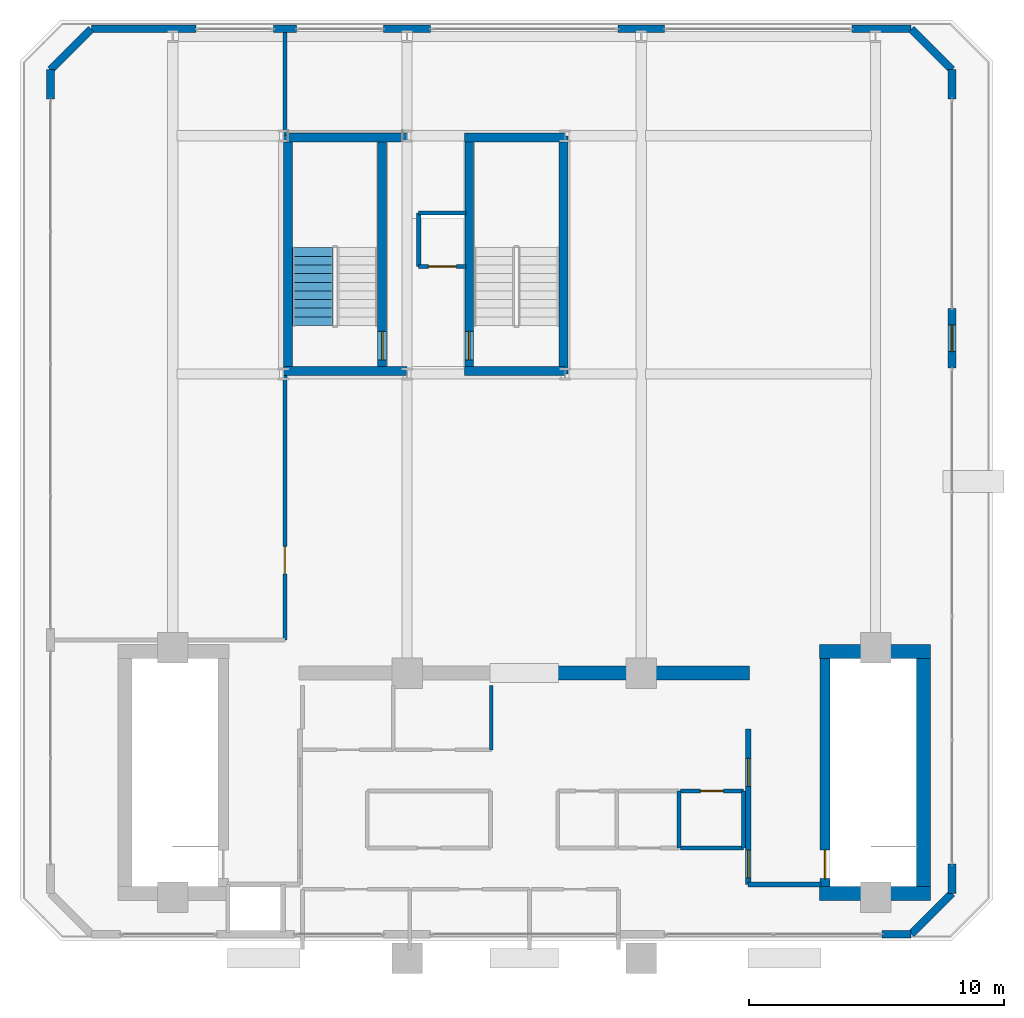
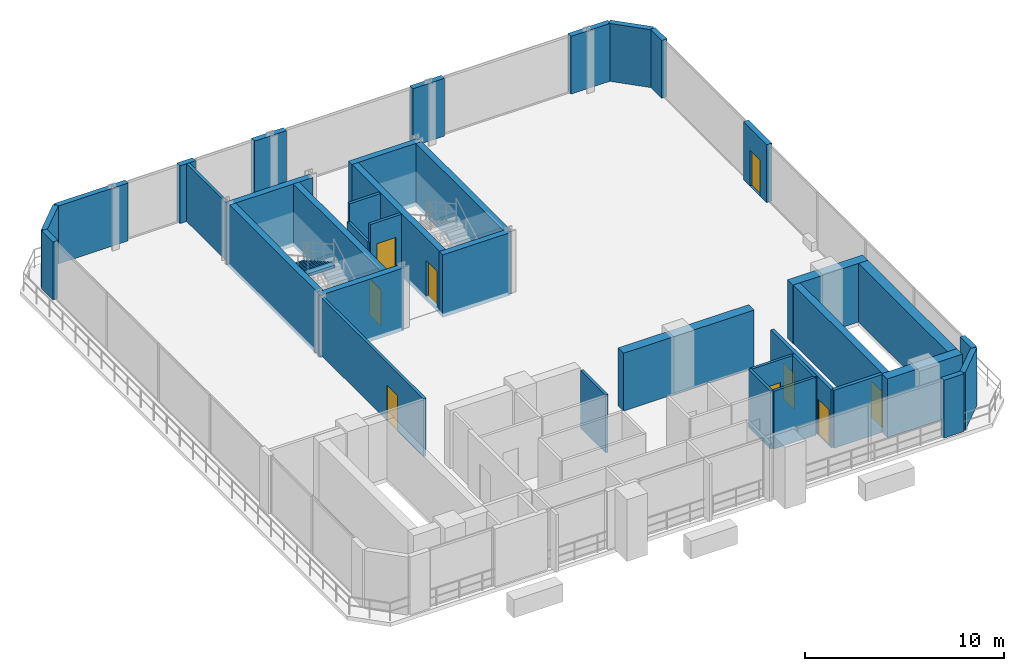
# One storey, part 22 of 26: 38 walls, 9 doors, 1 stair flight, 9 openings, 1 element without a shape of its own.
"""IFC4 building model written with IfcOpenShell, lengths in metres."""

from ifc_helpers import new_model, si_unit, direction, frame, frame_2d, origin, place, context, subcontext, project, spatial, polyline, rectangle, outline, extrude, material, layer, layer_set, type_object, element, fill, aggregate, save


model = new_model("IFC4")

# Units and contexts
model_context = context("Model", 3, precision=1e-05, world=origin(), true_north=direction((0.0, 1.0)))
body_context = subcontext(model_context, "Body", "Model", "MODEL_VIEW")
ifc_project = project(units=[si_unit("LENGTHUNIT", "METRE"), si_unit("AREAUNIT", "SQUARE_METRE"), si_unit("VOLUMEUNIT", "CUBIC_METRE"), si_unit("PLANEANGLEUNIT", "RADIAN"), si_unit("MASSUNIT", "GRAM", prefix="KILO")], contexts=[model_context])

# Site, building, storey
site_placement = place(None, origin())
site = spatial("IfcSite", under=ifc_project, at=site_placement, CompositionType="ELEMENT")
building_placement = place(site_placement, origin())
building = spatial("IfcBuilding", under=site, at=building_placement, Name="Zuhayl Quay Hotel", CompositionType="ELEMENT")
storey_placement = place(building_placement, frame((0.0, 0.0, 301.050048828125)))
storey = spatial("IfcBuildingStorey", under=building, at=storey_placement, Name="Crown 2", CompositionType="ELEMENT", Elevation=301.050048828125)

# Walls
ifc_material_1 = material(Name="Concrete C50/60", Category="concrete")
ifc_layer_1 = layer(ifc_material_1, 0.550048828125, Name="Concrete C50/60", Category="concrete")
ifc_layer_set_1 = layer_set([ifc_layer_1], Name="Concrete C50/60")
wall_type_1 = type_object("IfcWallType", Name="WL_CORE_550", PredefinedType="SHEAR", material=ifc_layer_set_1)
wall_1_placement = place(storey_placement, frame((11.60009765625, 14.205078125, 0.0), z_axis=(0.0, 0.0, 1.0), x_axis=(1.0, 0.0, 0.0)))
element("IfcWall", 1, at=wall_1_placement, inside=storey, type_object=wall_type_1, Name="Crown 2 Core Shear Wall CW_NE", PredefinedType="SHEAR", context=body_context, shape_type="SweptSolid", body=[
    extrude(rectangle(XDim=4.35986328125, YDim=0.550048828125, at=frame_2d((2.179931640625, 0.0))), origin(), (0.0, 0.0, 1.0), 3.60986328125),
])
wall_2_placement = place(storey_placement, frame((15.68505859375, 4.969970703125, 0.0), z_axis=(0.0, 0.0, 1.0), x_axis=(0.0, 1.0, 0.0)))
element("IfcWall", 2, at=wall_2_placement, inside=storey, type_object=wall_type_1, Name="Crown 2 Core Shear Wall CW_E", PredefinedType="SHEAR", context=body_context, shape_type="SweptSolid", body=[
    extrude(rectangle(XDim=8.9599609375, YDim=0.550048828125, at=frame_2d((4.47998046875, 0.0))), origin(), (0.0, 0.0, 1.0), 3.60986328125),
])
wall_3_placement = place(storey_placement, frame((11.60009765625, 4.695068359375, 0.0), z_axis=(0.0, 0.0, 1.0), x_axis=(1.0, 0.0, 0.0)))
element("IfcWall", 3, at=wall_3_placement, inside=storey, type_object=wall_type_1, Name="Crown 2 Core Shear Wall CW_SE", PredefinedType="SHEAR", context=body_context, shape_type="SweptSolid", body=[
    extrude(rectangle(XDim=4.35986328125, YDim=0.550048828125, at=frame_2d((2.179931640625, 0.0))), origin(), (0.0, 0.0, 1.0), 3.60986328125),
])
wall_4_placement = place(storey_placement, frame((1.25, 13.35009765625, 0.0), z_axis=(0.0, 0.0, 1.0), x_axis=(1.0, 0.0, 0.0)))
element("IfcWall", 4, at=wall_4_placement, inside=storey, type_object=wall_type_1, Name="Crown 2 Core Shear Wall CW_NC_E", PredefinedType="SHEAR", context=body_context, shape_type="SweptSolid", body=[
    extrude(rectangle(XDim=7.60009765625, YDim=0.550048828125, at=frame_2d((3.800048828125, 0.0))), origin(), (0.0, 0.0, 1.0), 3.56005859375),
])
ifc_material_2 = material(Name="Precast concrete C45/55", Category="concrete")
ifc_layer_2 = layer(ifc_material_2, 0.300048828125, Name="Precast concrete C45/55", Category="concrete")
ifc_layer_set_2 = layer_set([ifc_layer_2], Name="Precast concrete C45/55")
wall_type_2 = type_object("IfcWallType", Name="WL_EXT_300", PredefinedType="STANDARD", material=ifc_layer_set_2)
wall_5_placement = place(storey_placement, frame((-18.60009765625, 35.89990234375, 0.0), z_axis=(0.0, 0.0, 1.0), x_axis=(0.0, 1.0, 0.0)))
element("IfcWall", 5, at=wall_5_placement, inside=storey, type_object=wall_type_2, Name="Crown 2 Exterior Precast Wall ENV_CR2_E1_EW3", PredefinedType="STANDARD", context=body_context, shape_type="SweptSolid", body=[
    extrude(rectangle(XDim=1.150146484375, YDim=0.300048828125, at=frame_2d((0.5751953125, 0.0))), origin(), (0.0, 0.0, 1.0), 3.56005859375),
])
wall_6_placement = place(storey_placement, frame((-18.60009765625, 37.050048828125, 0.0), z_axis=(0.0, 0.0, 1.0), x_axis=(0.707160727918, 0.707052830339, 0.0)))
element("IfcWall", 6, at=wall_6_placement, inside=storey, type_object=wall_type_2, Name="Crown 2 Exterior Precast Wall ENV_CR2_EW2", PredefinedType="STANDARD", context=body_context, shape_type="SweptSolid", body=[
    extrude(rectangle(XDim=2.2626953125, YDim=0.300048828125, at=frame_2d((1.13134765625, 0.0))), origin(), (0.0, 0.0, 1.0), 3.56005859375),
])
wall_7_placement = place(storey_placement, frame((-17.0, 38.64990234375, 0.0), z_axis=(0.0, 0.0, 1.0), x_axis=(1.0, 0.0, 0.0)))
element("IfcWall", 7, at=wall_7_placement, inside=storey, type_object=wall_type_2, Name="Crown 2 Exterior Precast Wall ENV_CR2_E3_EW1", PredefinedType="STANDARD", context=body_context, shape_type="SweptSolid", body=[
    extrude(rectangle(XDim=4.1201171875, YDim=0.300048828125, at=frame_2d((2.06005859375, 0.0))), origin(), (0.0, 0.0, 1.0), 3.56005859375),
])
wall_8_placement = place(storey_placement, frame((-9.85009765625, 38.64990234375, 0.0), z_axis=(0.0, 0.0, 1.0), x_axis=(1.0, 0.0, 0.0)))
element("IfcWall", 8, at=wall_8_placement, inside=storey, type_object=wall_type_2, Name="Crown 2 Exterior Precast Wall ENV_CR2_E3_EW2", PredefinedType="STANDARD", context=body_context, shape_type="SweptSolid", body=[
    extrude(rectangle(XDim=0.900146484375, YDim=0.300048828125, at=frame_2d((0.4501953125, 0.0))), origin(), (0.0, 0.0, 1.0), 3.56005859375),
])
for number, where, z_axis, x_axis, name in (
    (9, (-5.52001953125, 38.64990234375, 0.0), (0.0, 0.0, 1.0), (1.0, 0.0, 0.0), "Crown 2 Exterior Precast Wall ENV_CR2_E3_EW3"),
    (10, (3.679931640625, 38.64990234375, 0.0), (0.0, 0.0, 1.0), (1.0, 0.0, 0.0), "Crown 2 Exterior Precast Wall ENV_CR2_E3_EW4"),
):
    element("IfcWall", number, at=place(storey_placement, frame(where, z_axis=z_axis, x_axis=x_axis)), inside=storey, type_object=wall_type_2, Name=name, PredefinedType="STANDARD", context=body_context, shape_type="SweptSolid", body=[
        extrude(rectangle(XDim=1.840087890625, YDim=0.300048828125, at=frame_2d((0.919921875, 0.0))), origin(), (0.0, 0.0, 1.0), 3.56005859375),
    ])
wall_9_placement = place(storey_placement, frame((12.8798828125, 38.64990234375, 0.0), z_axis=(0.0, 0.0, 1.0), x_axis=(1.0, 0.0, 0.0)))
element("IfcWall", 11, at=wall_9_placement, inside=storey, type_object=wall_type_2, Name="Crown 2 Exterior Precast Wall ENV_CR2_E3_EW5", PredefinedType="STANDARD", context=body_context, shape_type="SweptSolid", body=[
    extrude(rectangle(XDim=2.320068359375, YDim=0.300048828125, at=frame_2d((1.16015625, 0.0))), origin(), (0.0, 0.0, 1.0), 3.56005859375),
])
wall_10_placement = place(storey_placement, frame((15.199951171875, 38.64990234375, 0.0), z_axis=(0.0, 0.0, 1.0), x_axis=(0.707160727918, -0.707052830339, 0.0)))
element("IfcWall", 12, at=wall_10_placement, inside=storey, type_object=wall_type_2, Name="Crown 2 Exterior Precast Wall ENV_CR2_EW4", PredefinedType="STANDARD", context=body_context, shape_type="SweptSolid", body=[
    extrude(rectangle(XDim=2.2626953125, YDim=0.300048828125, at=frame_2d((1.13134765625, 0.0))), origin(), (0.0, 0.0, 1.0), 3.56005859375),
])
wall_11_placement = place(storey_placement, frame((16.800048828125, 37.050048828125, 0.0), z_axis=(0.0, 0.0, 1.0), x_axis=(0.0, -1.0, 0.0)))
element("IfcWall", 13, at=wall_11_placement, inside=storey, type_object=wall_type_2, Name="Crown 2 Exterior Precast Wall ENV_CR2_E5_EW1", PredefinedType="STANDARD", context=body_context, shape_type="SweptSolid", body=[
    extrude(rectangle(XDim=1.150146484375, YDim=0.300048828125, at=frame_2d((0.5751953125, 0.0))), origin(), (0.0, 0.0, 1.0), 3.56005859375),
])

# Wall, opening, door
wall_12_placement = place(storey_placement, frame((16.800048828125, 27.675048828125, 0.0), z_axis=(0.0, 0.0, 1.0), x_axis=(0.0, -1.0, 0.0)))
wall_12 = element("IfcWall", 14, at=wall_12_placement, inside=storey, type_object=wall_type_2, Name="Crown 2 Exterior Precast Wall ENV_CR2_E5_EW2", PredefinedType="STANDARD", context=body_context, shape_type="SweptSolid", body=[
    extrude(rectangle(XDim=2.35009765625, YDim=0.300048828125, at=frame_2d((1.175048828125, 0.0))), origin(), (0.0, 0.0, 1.0), 3.56005859375),
])
opening_1_placement = place(wall_12_placement, frame((0.64990234375, 0.0, 0.0)))
opening_1 = element("IfcOpeningElement", 15, at=opening_1_placement, cuts=wall_12, Name="Opening DG1", PredefinedType="OPENING", context=body_context, shape_type="SweptSolid", body=[
    extrude(rectangle(XDim=1.050048828125, YDim=2.199951171875, at=frame_2d((0.52490234375, 1.10009765625))), frame((0.0, 0.159912109375, 0.0), z_axis=(0.0, -1.0, 0.0), x_axis=(1.0, 0.0, 0.0)), (0.0, 0.0, 1.0), 0.320068359375),
])
ifc_material_3 = material(Name="Anodised Aluminium and Dark Solar Glass", Category="aluminium")
door_type_1 = type_object("IfcDoorType", Name="DR_EXT_TERR_1050", OperationType="NOTDEFINED", PredefinedType="DOOR", material=ifc_material_3)
door_1_placement = place(opening_1_placement, origin())
door_1 = element("IfcDoor", 16, at=door_1_placement, inside=storey, type_object=door_type_1, Name="Crown 2 Stepped Crown Terrace Access Door", OperationType="SINGLE_SWING_RIGHT", OverallHeight=2.199951171875, OverallWidth=1.050048828125, PredefinedType="DOOR", context=body_context, shape_type="SweptSolid", body=[
    extrude(rectangle(XDim=1.050048828125, YDim=2.199951171875, at=frame_2d((0.52490234375, 1.10009765625))), frame((0.0, 0.02490234375, 0.0), z_axis=(0.0, -1.0, 0.0), x_axis=(1.0, 0.0, 0.0)), (0.0, 0.0, 1.0), 0.050048828125),
])
fill(opening_1, door_1)

# Walls
wall_13_placement = place(storey_placement, frame((16.800048828125, 5.85009765625, 0.0), z_axis=(0.0, 0.0, 1.0), x_axis=(0.0, -1.0, 0.0)))
element("IfcWall", 17, at=wall_13_placement, inside=storey, type_object=wall_type_2, Name="Crown 2 Exterior Precast Wall ENV_CR2_E5_EW3", PredefinedType="STANDARD", context=body_context, shape_type="SweptSolid", body=[
    extrude(rectangle(XDim=1.150146484375, YDim=0.300048828125, at=frame_2d((0.5751953125, 0.0))), origin(), (0.0, 0.0, 1.0), 3.56005859375),
])
wall_14_placement = place(storey_placement, frame((16.800048828125, 4.699951171875, 0.0), z_axis=(0.0, 0.0, 1.0), x_axis=(-0.707160727918, -0.707052830339, 0.0)))
element("IfcWall", 18, at=wall_14_placement, inside=storey, type_object=wall_type_2, Name="Crown 2 Exterior Precast Wall ENV_CR2_EW6", PredefinedType="STANDARD", context=body_context, shape_type="SweptSolid", body=[
    extrude(rectangle(XDim=2.2626953125, YDim=0.300048828125, at=frame_2d((1.13134765625, 0.0))), origin(), (0.0, 0.0, 1.0), 3.56005859375),
])
wall_15_placement = place(storey_placement, frame((15.199951171875, 3.10009765625, 0.0), z_axis=(0.0, 0.0, 1.0), x_axis=(-1.0, 0.0, 0.0)))
element("IfcWall", 19, at=wall_15_placement, inside=storey, type_object=wall_type_2, Name="Crown 2 Exterior Precast Wall ENV_CR2_E7_EW1", PredefinedType="STANDARD", context=body_context, shape_type="SweptSolid", body=[
    extrude(rectangle(XDim=1.14990234375, YDim=0.300048828125, at=frame_2d((0.574951171875, 0.0))), origin(), (0.0, 0.0, 1.0), 3.56005859375),
])

# Wall, opening, door
ifc_material_4 = material(Name="Acoustic Gypsum Partition STC-58")
ifc_layer_3 = layer(ifc_material_4, 0.14990234375, Name="Acoustic Gypsum Partition STC-58")
ifc_layer_set_3 = layer_set([ifc_layer_3], Name="Acoustic Gypsum Partition STC-58")
wall_type_3 = type_object("IfcWallType", Name="WL_PART_150", PredefinedType="PARTITIONING", material=ifc_layer_set_3)
wall_16_placement = place(storey_placement, frame((6.139892578125, 8.719970703125, 0.0), z_axis=(0.0, 0.0, 1.0), x_axis=(1.0, 0.0, 0.0)))
wall_16 = element("IfcWall", 20, at=wall_16_placement, inside=storey, type_object=wall_type_3, Name="Crown 2 Partition IW_Crown 2_CORE_E3_N", PredefinedType="PARTITIONING", context=body_context, shape_type="SweptSolid", body=[
    extrude(rectangle(XDim=2.47021484375, YDim=0.14990234375, at=frame_2d((1.235107421875, 0.0))), origin(), (0.0, 0.0, 1.0), 3.56005859375),
])
opening_2_placement = place(wall_16_placement, frame((0.784912109375, 0.0, 0.0)))
opening_2 = element("IfcOpeningElement", 21, at=opening_2_placement, cuts=wall_16, Name="Opening D06", PredefinedType="OPENING", context=body_context, shape_type="SweptSolid", body=[
    extrude(rectangle(XDim=0.89990234375, YDim=2.14990234375, at=frame_2d((0.449951171875, 1.074951171875))), frame((0.0, 0.0849609375, 0.0), z_axis=(0.0, -1.0, 0.0), x_axis=(1.0, 0.0, 0.0)), (0.0, 0.0, 1.0), 0.169921875),
])
ifc_material_5 = material(Name="Steel ASTM A992 Grade 50", Category="steel")
door_type_2 = type_object("IfcDoorType", Name="DR_INT_900", OperationType="NOTDEFINED", PredefinedType="DOOR", material=ifc_material_5)
door_2_placement = place(opening_2_placement, origin())
door_2 = element("IfcDoor", 22, at=door_2_placement, inside=storey, type_object=door_type_2, Name="Crown 2 Janitor and Cleaners Store Door", OperationType="SINGLE_SWING_LEFT", OverallHeight=2.14990234375, OverallWidth=0.89990234375, PredefinedType="DOOR", context=body_context, shape_type="SweptSolid", body=[
    extrude(rectangle(XDim=0.89990234375, YDim=2.14990234375, at=frame_2d((0.449951171875, 1.074951171875))), frame((0.0, 0.02490234375, 0.0), z_axis=(0.0, -1.0, 0.0), x_axis=(1.0, 0.0, 0.0)), (0.0, 0.0, 1.0), 0.050048828125),
])
fill(opening_2, door_2)

# Walls
wall_17_placement = place(storey_placement, frame((-1.2900390625, 10.340087890625, 0.0), z_axis=(0.0, 0.0, 1.0), x_axis=(0.0, 1.0, 0.0)))
element("IfcWall", 23, at=wall_17_placement, inside=storey, type_object=wall_type_3, Name="Crown 2 Partition IW_Crown 2_FMP_N2_E", PredefinedType="PARTITIONING", context=body_context, shape_type="SweptSolid", body=[
    extrude(rectangle(XDim=2.52001953125, YDim=0.14990234375, at=frame_2d((1.260009765625, 0.0))), origin(), (0.0, 0.0, 1.0), 3.56005859375),
])
wall_18_placement = place(storey_placement, frame((6.080078125, 6.47998046875, 0.0), z_axis=(0.0, 0.0, 1.0), x_axis=(0.0, 1.0, 0.0)))
element("IfcWall", 24, at=wall_18_placement, inside=storey, type_object=wall_type_3, Name="Crown 2 Partition IW_Crown 2_CORE_E2_E", PredefinedType="PARTITIONING", context=body_context, shape_type="SweptSolid", body=[
    extrude(rectangle(XDim=2.239990234375, YDim=0.14990234375, at=frame_2d((1.1201171875, 0.0))), origin(), (0.0, 0.0, 1.0), 3.56005859375),
])
wall_19_placement = place(storey_placement, frame((6.139892578125, 6.47998046875, 0.0), z_axis=(0.0, 0.0, 1.0), x_axis=(1.0, 0.0, 0.0)))
element("IfcWall", 25, at=wall_19_placement, inside=storey, type_object=wall_type_3, Name="Crown 2 Partition IW_Crown 2_CORE_E3_S", PredefinedType="PARTITIONING", context=body_context, shape_type="SweptSolid", body=[
    extrude(rectangle(XDim=2.47021484375, YDim=0.14990234375, at=frame_2d((1.235107421875, 0.0))), origin(), (0.0, 0.0, 1.0), 3.56005859375),
])
wall_20_placement = place(storey_placement, frame((8.610107421875, 6.47998046875, 0.0), z_axis=(0.0, 0.0, 1.0), x_axis=(0.0, 1.0, 0.0)))
element("IfcWall", 26, at=wall_20_placement, inside=storey, type_object=wall_type_3, Name="Crown 2 Partition IW_Crown 2_CORE_E3_E", PredefinedType="PARTITIONING", context=body_context, shape_type="SweptSolid", body=[
    extrude(rectangle(XDim=2.239990234375, YDim=0.14990234375, at=frame_2d((1.1201171875, 0.0))), origin(), (0.0, 0.0, 1.0), 3.56005859375),
])

# Wall, opening, door
ifc_layer_4 = layer(ifc_material_4, 0.159912109375, Name="Acoustic Gypsum Partition STC-58")
ifc_layer_set_4 = layer_set([ifc_layer_4], Name="Acoustic Gypsum Partition STC-58")
wall_type_4 = type_object("IfcWallType", Name="WL_PART_CORR_160", PredefinedType="PARTITIONING", material=ifc_layer_set_4)
wall_21_placement = place(storey_placement, frame((-9.39990234375, 14.64990234375, 0.0), z_axis=(0.0, 0.0, 1.0), x_axis=(0.0, 1.0, 0.0)))
wall_21 = element("IfcWall", 27, at=wall_21_placement, inside=storey, type_object=wall_type_4, Name="Crown 2 Partition IW_CR2_PLT_E", PredefinedType="PARTITIONING", context=body_context, shape_type="SweptSolid", body=[
    extrude(rectangle(XDim=10.5, YDim=0.159912109375, at=frame_2d((5.25, 0.0))), origin(), (0.0, 0.0, 1.0), 3.56005859375),
])
opening_3_placement = place(wall_21_placement, frame((2.60009765625, 0.0, 0.0)))
opening_3 = element("IfcOpeningElement", 28, at=opening_3_placement, cuts=wall_21, Name="Opening D05A", PredefinedType="OPENING", context=body_context, shape_type="SweptSolid", body=[
    extrude(rectangle(XDim=1.080078125, YDim=2.179931640625, at=frame_2d((0.5400390625, 1.08984375))), frame((0.0, 0.08984375, 0.0), z_axis=(0.0, -1.0, 0.0), x_axis=(1.0, 0.0, 0.0)), (0.0, 0.0, 1.0), 0.179931640625),
])
ifc_material_6 = material(Name="Solid Walnut Acoustic Fire Door")
door_type_3 = type_object("IfcDoorType", Name="DR_INT_1100", OperationType="NOTDEFINED", PredefinedType="DOOR", material=ifc_material_6)
door_3_placement = place(opening_3_placement, origin())
door_3 = element("IfcDoor", 29, at=door_3_placement, inside=storey, type_object=door_type_3, Name="Crown 2 Plant Room Door", OperationType="SINGLE_SWING_RIGHT", OverallHeight=2.179931640625, OverallWidth=1.080078125, PredefinedType="DOOR", context=body_context, shape_type="SweptSolid", body=[
    extrude(rectangle(XDim=1.080078125, YDim=2.179931640625, at=frame_2d((0.5400390625, 1.08984375))), frame((0.0, 0.02490234375, 0.0), z_axis=(0.0, -1.0, 0.0), x_axis=(1.0, 0.0, 0.0)), (0.0, 0.0, 1.0), 0.050048828125),
])
fill(opening_3, door_3)

# Wall
wall_22_placement = place(storey_placement, frame((-9.39990234375, 34.47998046875, 0.0), z_axis=(0.0, 0.0, 1.0), x_axis=(0.0, 1.0, 0.0)))
element("IfcWall", 30, at=wall_22_placement, inside=storey, type_object=wall_type_4, Name="Crown 2 Partition IW_CR2_PLT_EN", PredefinedType="PARTITIONING", context=body_context, shape_type="SweptSolid", body=[
    extrude(rectangle(XDim=4.110107421875, YDim=0.159912109375, at=frame_2d((2.05517578125, 0.0))), origin(), (0.0, 0.0, 1.0), 3.56005859375),
])

# Wall, opening, door
ifc_material_7 = material(Name="Gypsum Fireboard Assembly EI-90")
ifc_layer_5 = layer(ifc_material_7, 0.1650390625, Name="Gypsum Fireboard Assembly EI-90")
ifc_layer_set_5 = layer_set([ifc_layer_5], Name="Gypsum Fireboard Assembly EI-90")
wall_type_5 = type_object("IfcWallType", Name="WL_PART_SHAFT_160", PredefinedType="PARTITIONING", material=ifc_layer_set_5)
wall_23_placement = place(storey_placement, frame((-4.139892578125, 29.320068359375, 0.0), z_axis=(0.0, 0.0, 1.0), x_axis=(1.0, 0.0, 0.0)))
wall_23 = element("IfcWall", 31, at=wall_23_placement, inside=storey, type_object=wall_type_5, Name="Crown 2 Partition IW_CR2_SH_CLF1_F", PredefinedType="PARTITIONING", context=body_context, shape_type="SweptSolid", body=[
    extrude(rectangle(XDim=1.85986328125, YDim=0.1650390625, at=frame_2d((0.929931640625, 0.0))), origin(), (0.0, 0.0, 1.0), 3.56005859375),
])
opening_4_placement = place(wall_23_placement, frame((0.3798828125, 0.0, 0.0)))
opening_4 = element("IfcOpeningElement", 32, at=opening_4_placement, cuts=wall_23, Name="Opening LD1", PredefinedType="OPENING", context=body_context, shape_type="SweptSolid", body=[
    extrude(rectangle(XDim=1.10009765625, YDim=2.25, at=frame_2d((0.550048828125, 1.125))), frame((0.0, 0.092529296875, 0.0), z_axis=(0.0, -1.0, 0.0), x_axis=(1.0, 0.0, 0.0)), (0.0, 0.0, 1.0), 0.18505859375),
])
ifc_material_8 = material(Name="Brushed Stainless Steel", Category="steel")
door_type_4 = type_object("IfcDoorType", Name="DR_LIFT_PASS_1100", OperationType="SLIDING_TO_LEFT", PredefinedType="DOOR", material=ifc_material_8)
door_4_placement = place(opening_4_placement, origin())
door_4 = element("IfcDoor", 33, at=door_4_placement, inside=storey, type_object=door_type_4, Name="Crown 2 Lift CLF1 Sliding Landing Door", OperationType="SLIDING_TO_LEFT", OverallHeight=2.25, OverallWidth=1.10009765625, PredefinedType="DOOR", context=body_context, shape_type="SweptSolid", body=[
    extrude(rectangle(XDim=1.10009765625, YDim=2.25, at=frame_2d((0.550048828125, 1.125))), frame((0.0, 0.02490234375, 0.0), z_axis=(0.0, -1.0, 0.0), x_axis=(1.0, 0.0, 0.0)), (0.0, 0.0, 1.0), 0.050048828125),
])
fill(opening_4, door_4)

# Walls
wall_24_placement = place(storey_placement, frame((-4.139892578125, 29.320068359375, 0.0), z_axis=(0.0, 0.0, 1.0), x_axis=(0.0, 1.0, 0.0)))
element("IfcWall", 34, at=wall_24_placement, inside=storey, type_object=wall_type_5, Name="Crown 2 Partition IW_CR2_SH_CLF1_W", PredefinedType="PARTITIONING", context=body_context, shape_type="SweptSolid", body=[
    extrude(rectangle(XDim=2.099853515625, YDim=0.1650390625, at=frame_2d((1.0498046875, 0.0))), origin(), (0.0, 0.0, 1.0), 2.44189453125),
])
wall_25_placement = place(storey_placement, frame((-4.139892578125, 31.419921875, 0.0), z_axis=(0.0, 0.0, 1.0), x_axis=(1.0, 0.0, 0.0)))
element("IfcWall", 35, at=wall_25_placement, inside=storey, type_object=wall_type_5, Name="Crown 2 Partition IW_CR2_SH_CLF1_N", PredefinedType="PARTITIONING", context=body_context, shape_type="SweptSolid", body=[
    extrude(rectangle(XDim=1.85986328125, YDim=0.1650390625, at=frame_2d((0.929931640625, 0.0))), origin(), (0.0, 0.0, 1.0), 3.56005859375),
])

# Wall, openings, doors
ifc_material_9 = material(Name="Gypsum Fireboard Assembly EI-120")
ifc_layer_6 = layer(ifc_material_9, 0.199951171875, Name="Gypsum Fireboard Assembly EI-120")
ifc_layer_set_6 = layer_set([ifc_layer_6], Name="Gypsum Fireboard Assembly EI-120")
wall_type_6 = type_object("IfcWallType", Name="WL_PART_SHAFT_200", PredefinedType="PARTITIONING", material=ifc_layer_set_6)
wall_26_placement = place(storey_placement, frame((8.800048828125, 11.14990234375, 0.0), z_axis=(0.0, 0.0, 1.0), x_axis=(0.0, -1.0, 0.0)))
wall_26 = element("IfcWall", 36, at=wall_26_placement, inside=storey, type_object=wall_type_6, Name="Crown 2 Partition IW_Crown 2_FSAE_E_W", PredefinedType="PARTITIONING", context=body_context, shape_type="SweptSolid", body=[
    extrude(rectangle(XDim=6.099853515625, YDim=0.199951171875, at=frame_2d((3.0498046875, 0.0))), origin(), (0.0, 0.0, 1.0), 3.56005859375),
])
opening_5_placement = place(wall_26_placement, frame((1.14990234375, 0.0, 0.0)))
opening_5 = element("IfcOpeningElement", 37, at=opening_5_placement, cuts=wall_26, Name="Opening D02", PredefinedType="OPENING", context=body_context, shape_type="SweptSolid", body=[
    extrude(rectangle(XDim=1.10009765625, YDim=2.199951171875, at=frame_2d((0.550048828125, 1.10009765625))), frame((0.0, 0.10986328125, 0.0), z_axis=(0.0, -1.0, 0.0), x_axis=(1.0, 0.0, 0.0)), (0.0, 0.0, 1.0), 0.219970703125),
])
opening_6_placement = place(wall_26_placement, frame((4.75, 0.0, 0.0)))
opening_6 = element("IfcOpeningElement", 38, at=opening_6_placement, cuts=wall_26, Name="Opening D02", PredefinedType="OPENING", context=body_context, shape_type="SweptSolid", body=[
    extrude(rectangle(XDim=1.10009765625, YDim=2.199951171875, at=frame_2d((0.550048828125, 1.10009765625))), frame((0.0, 0.10986328125, 0.0), z_axis=(0.0, -1.0, 0.0), x_axis=(1.0, 0.0, 0.0)), (0.0, 0.0, 1.0), 0.219970703125),
])
door_type_5 = type_object("IfcDoorType", Name="DR_FIRE_90_1100", OperationType="NOTDEFINED", PredefinedType="DOOR", material=ifc_material_5)
door_5_placement = place(opening_5_placement, origin())
door_5 = element("IfcDoor", 39, at=door_5_placement, inside=storey, type_object=door_type_5, Name="Crown 2 FSAE Lobby East North Entry Door", OperationType="SINGLE_SWING_LEFT", OverallHeight=2.199951171875, OverallWidth=1.10009765625, PredefinedType="DOOR", context=body_context, shape_type="SweptSolid", body=[
    extrude(rectangle(XDim=1.10009765625, YDim=2.199951171875, at=frame_2d((0.550048828125, 1.10009765625))), frame((0.0, 0.02490234375, 0.0), z_axis=(0.0, -1.0, 0.0), x_axis=(1.0, 0.0, 0.0)), (0.0, 0.0, 1.0), 0.050048828125),
])
fill(opening_5, door_5)
door_6_placement = place(opening_6_placement, origin())
door_6 = element("IfcDoor", 40, at=door_6_placement, inside=storey, type_object=door_type_5, Name="Crown 2 FSAE Lobby East South Entry Door", OperationType="SINGLE_SWING_RIGHT", OverallHeight=2.199951171875, OverallWidth=1.10009765625, PredefinedType="DOOR", context=body_context, shape_type="SweptSolid", body=[
    extrude(rectangle(XDim=1.10009765625, YDim=2.199951171875, at=frame_2d((0.550048828125, 1.10009765625))), frame((0.0, 0.02490234375, 0.0), z_axis=(0.0, -1.0, 0.0), x_axis=(1.0, 0.0, 0.0)), (0.0, 0.0, 1.0), 0.050048828125),
])
fill(opening_6, door_6)

# Wall
wall_27_placement = place(storey_placement, frame((8.800048828125, 5.050048828125, 0.0), z_axis=(0.0, 0.0, 1.0), x_axis=(1.0, 0.0, 0.0)))
element("IfcWall", 41, at=wall_27_placement, inside=storey, type_object=wall_type_6, Name="Crown 2 Partition IW_Crown 2_FSAE_E_S", PredefinedType="PARTITIONING", context=body_context, shape_type="SweptSolid", body=[
    extrude(rectangle(XDim=2.849853515625, YDim=0.199951171875, at=frame_2d((1.4248046875, 0.0))), origin(), (0.0, 0.0, 1.0), 3.56005859375),
])

# Wall, opening, door
ifc_layer_7 = layer(ifc_material_1, 0.35009765625, Name="Concrete C50/60", Category="concrete")
ifc_layer_set_7 = layer_set([ifc_layer_7], Name="Concrete C50/60")
wall_type_7 = type_object("IfcWallType", Name="WL_STAIR_350", PredefinedType="SHEAR", material=ifc_layer_set_7)
wall_28_placement = place(storey_placement, frame((-5.574951171875, 25.10009765625, -0.239990234375), z_axis=(0.0, 0.0, 1.0), x_axis=(0.0, 1.0, 0.0)))
wall_28 = element("IfcWall", 42, at=wall_28_placement, inside=storey, type_object=wall_type_7, Name="Crown 2 Crown Stair Shear Wall SW_ST5_E", PredefinedType="SHEAR", context=body_context, shape_type="SweptSolid", body=[
    extrude(rectangle(XDim=9.349853515625, YDim=0.35009765625, at=frame_2d((4.6748046875, 0.0))), origin(), (0.0, 0.0, 1.0), 3.849853515625),
])
opening_7_placement = place(wall_28_placement, frame((0.550048828125, 0.0, 0.239990234375)))
opening_7 = element("IfcOpeningElement", 43, at=opening_7_placement, cuts=wall_28, Name="Opening D01", PredefinedType="OPENING", context=body_context, shape_type="SweptSolid", body=[
    extrude(rectangle(XDim=1.1201171875, YDim=2.219970703125, at=frame_2d((0.56005859375, 1.10986328125))), frame((0.0, 0.18505859375, 0.0), z_axis=(0.0, -1.0, 0.0), x_axis=(1.0, 0.0, 0.0)), (0.0, 0.0, 1.0), 0.3701171875),
])
door_type_6 = type_object("IfcDoorType", Name="DR_STAIR_90_1100", OperationType="NOTDEFINED", PredefinedType="DOOR", material=ifc_material_5)
door_7_placement = place(opening_7_placement, origin())
door_7 = element("IfcDoor", 44, at=door_7_placement, inside=storey, type_object=door_type_6, Name="Crown 2 Crown Exit Stair ST5 Door", OperationType="SINGLE_SWING_RIGHT", OverallHeight=2.219970703125, OverallWidth=1.1201171875, PredefinedType="DOOR", context=body_context, shape_type="SweptSolid", body=[
    extrude(rectangle(XDim=1.1201171875, YDim=2.219970703125, at=frame_2d((0.56005859375, 1.10986328125))), frame((0.0, 0.02490234375, 0.0), z_axis=(0.0, -1.0, 0.0), x_axis=(1.0, 0.0, 0.0)), (0.0, 0.0, 1.0), 0.050048828125),
])
fill(opening_7, door_7)

# Walls
wall_29_placement = place(storey_placement, frame((-9.280029296875, 34.449951171875, -0.239990234375), z_axis=(0.0, 0.0, 1.0), x_axis=(0.0, -1.0, 0.0)))
element("IfcWall", 45, at=wall_29_placement, inside=storey, type_object=wall_type_7, Name="Crown 2 Crown Stair Shear Wall SW_ST5_W", PredefinedType="SHEAR", context=body_context, shape_type="SweptSolid", body=[
    extrude(rectangle(XDim=9.349853515625, YDim=0.35009765625, at=frame_2d((4.6748046875, 0.0))), origin(), (0.0, 0.0, 1.0), 3.849853515625),
])
for number, where, z_axis, x_axis, name in (
    (46, (-9.449951171875, 25.219970703125, -0.239990234375), (0.0, 0.0, 1.0), (1.0, 0.0, 0.0), "Crown 2 Crown Stair Shear Wall SW_ST5_S"),
    (47, (-9.449951171875, 34.3798828125, -0.239990234375), (0.0, 0.0, 1.0), (1.0, 0.0, 0.0), "Crown 2 Crown Stair Shear Wall SW_ST5_N"),
):
    element("IfcWall", number, at=place(storey_placement, frame(where, z_axis=z_axis, x_axis=x_axis)), inside=storey, type_object=wall_type_7, Name=name, PredefinedType="SHEAR", context=body_context, shape_type="SweptSolid", body=[
        extrude(rectangle(XDim=4.849853515625, YDim=0.35009765625, at=frame_2d((2.4248046875, 0.0))), origin(), (0.0, 0.0, 1.0), 3.849853515625),
    ])

# Wall, opening, door
wall_30_placement = place(storey_placement, frame((-2.155029296875, 34.449951171875, -0.239990234375), z_axis=(0.0, 0.0, 1.0), x_axis=(0.0, -1.0, 0.0)))
wall_30 = element("IfcWall", 48, at=wall_30_placement, inside=storey, type_object=wall_type_7, Name="Crown 2 Crown Stair Shear Wall SW_ST6_W", PredefinedType="SHEAR", context=body_context, shape_type="SweptSolid", body=[
    extrude(rectangle(XDim=9.349853515625, YDim=0.35009765625, at=frame_2d((4.6748046875, 0.0))), origin(), (0.0, 0.0, 1.0), 3.849853515625),
])
opening_8_placement = place(wall_30_placement, frame((7.679931640625, 0.0, 0.239990234375)))
opening_8 = element("IfcOpeningElement", 49, at=opening_8_placement, cuts=wall_30, Name="Opening D01", PredefinedType="OPENING", context=body_context, shape_type="SweptSolid", body=[
    extrude(rectangle(XDim=1.1201171875, YDim=2.219970703125, at=frame_2d((0.56005859375, 1.10986328125))), frame((0.0, 0.18505859375, 0.0), z_axis=(0.0, -1.0, 0.0), x_axis=(1.0, 0.0, 0.0)), (0.0, 0.0, 1.0), 0.3701171875),
])
door_8_placement = place(opening_8_placement, origin())
door_8 = element("IfcDoor", 50, at=door_8_placement, inside=storey, type_object=door_type_6, Name="Crown 2 Crown Exit Stair ST6 Door", OperationType="SINGLE_SWING_LEFT", OverallHeight=2.219970703125, OverallWidth=1.1201171875, PredefinedType="DOOR", context=body_context, shape_type="SweptSolid", body=[
    extrude(rectangle(XDim=1.1201171875, YDim=2.219970703125, at=frame_2d((0.56005859375, 1.10986328125))), frame((0.0, 0.02490234375, 0.0), z_axis=(0.0, -1.0, 0.0), x_axis=(1.0, 0.0, 0.0)), (0.0, 0.0, 1.0), 0.050048828125),
])
fill(opening_8, door_8)

# Walls
wall_31_placement = place(storey_placement, frame((1.544921875, 25.10009765625, -0.239990234375), z_axis=(0.0, 0.0, 1.0), x_axis=(0.0, 1.0, 0.0)))
element("IfcWall", 51, at=wall_31_placement, inside=storey, type_object=wall_type_7, Name="Crown 2 Crown Stair Shear Wall SW_ST6_E", PredefinedType="SHEAR", context=body_context, shape_type="SweptSolid", body=[
    extrude(rectangle(XDim=9.349853515625, YDim=0.35009765625, at=frame_2d((4.6748046875, 0.0))), origin(), (0.0, 0.0, 1.0), 3.849853515625),
])
for number, where, z_axis, x_axis, name in (
    (52, (-2.35009765625, 25.219970703125, -0.239990234375), (0.0, 0.0, 1.0), (1.0, 0.0, 0.0), "Crown 2 Crown Stair Shear Wall SW_ST6_S"),
    (53, (-2.35009765625, 34.3798828125, -0.239990234375), (0.0, 0.0, 1.0), (1.0, 0.0, 0.0), "Crown 2 Crown Stair Shear Wall SW_ST6_N"),
):
    element("IfcWall", number, at=place(storey_placement, frame(where, z_axis=z_axis, x_axis=x_axis)), inside=storey, type_object=wall_type_7, Name=name, PredefinedType="SHEAR", context=body_context, shape_type="SweptSolid", body=[
        extrude(rectangle(XDim=3.9501953125, YDim=0.35009765625, at=frame_2d((1.97509765625, 0.0))), origin(), (0.0, 0.0, 1.0), 3.849853515625),
    ])

# Wall, opening, door
ifc_material_10 = material(Name="Concrete C60/75", Category="concrete")
ifc_layer_8 = layer(ifc_material_10, 0.39990234375, Name="Concrete C60/75", Category="concrete")
ifc_layer_set_8 = layer_set([ifc_layer_8], Name="Concrete C60/75")
wall_type_8 = type_object("IfcWallType", Name="WL_STAIR_400", PredefinedType="SHEAR", material=ifc_layer_set_8)
wall_32_placement = place(storey_placement, frame((11.820068359375, 13.929931640625, 0.0), z_axis=(0.0, 0.0, 1.0), x_axis=(0.0, -1.0, 0.0)))
wall_32 = element("IfcWall", 54, at=wall_32_placement, inside=storey, type_object=wall_type_8, Name="Crown 2 Core Shear Wall SW_ST2", PredefinedType="SHEAR", context=body_context, shape_type="SweptSolid", body=[
    extrude(rectangle(XDim=8.9599609375, YDim=0.39990234375, at=frame_2d((4.47998046875, 0.0))), origin(), (0.0, 0.0, 1.0), 3.60986328125),
])
opening_9_placement = place(wall_32_placement, frame((7.530029296875, 0.0, 0.0)))
opening_9 = element("IfcOpeningElement", 55, at=opening_9_placement, cuts=wall_32, Name="Opening D01", PredefinedType="OPENING", context=body_context, shape_type="SweptSolid", body=[
    extrude(rectangle(XDim=1.1201171875, YDim=2.219970703125, at=frame_2d((0.56005859375, 1.10986328125))), frame((0.0, 0.2099609375, 0.0), z_axis=(0.0, -1.0, 0.0), x_axis=(1.0, 0.0, 0.0)), (0.0, 0.0, 1.0), 0.419921875),
])
door_9_placement = place(opening_9_placement, origin())
door_9 = element("IfcDoor", 56, at=door_9_placement, inside=storey, type_object=door_type_6, Name="Crown 2 Smokeproof Exit Stair ST2 Door", OperationType="SINGLE_SWING_RIGHT", OverallHeight=2.219970703125, OverallWidth=1.1201171875, PredefinedType="DOOR", context=body_context, shape_type="SweptSolid", body=[
    extrude(rectangle(XDim=1.1201171875, YDim=2.219970703125, at=frame_2d((0.56005859375, 1.10986328125))), frame((0.0, 0.02490234375, 0.0), z_axis=(0.0, -1.0, 0.0), x_axis=(1.0, 0.0, 0.0)), (0.0, 0.0, 1.0), 0.050048828125),
])
fill(opening_9, door_9)

# Stair, stair flight
ifc_material_11 = material(Name="Concrete C45/55", Category="concrete")
stair_type = type_object("IfcStairType", Name="ST_DOGLEG_PODIUM", PredefinedType="HALF_TURN_STAIR", material=ifc_material_11)
stair_placement = place(storey_placement, origin())
stair = element("IfcStair", 57, at=stair_placement, inside=storey, type_object=stair_type, Name="Crown 2 Smokeproof Exit Stair ST5", PredefinedType="HALF_TURN_STAIR")
ifc_layer_9 = layer(ifc_material_11, 0.159912109375, Name="Concrete C45/55", Category="concrete")
ifc_layer_set_9 = layer_set([ifc_layer_9], Name="Concrete C45/55")
stair_flight_type = type_object("IfcStairFlightType", Name="SF_CONC_160", PredefinedType="STRAIGHT", material=ifc_layer_set_9)
stair_flight_placement = place(storey_placement, frame((-8.300048828125, 30.06005859375, 1.89990234375), z_axis=(0.0, 0.0, 1.0), x_axis=(0.0, -1.0, 0.0)))
stair_flight = element("IfcStairFlight", 58, at=stair_flight_placement, type_object=stair_flight_type, Name="ST5 flight 2", NumberOfRisers=10, NumberOfTreads=9, PredefinedType="STRAIGHT", RiserHeight=0.19, TreadLength=0.34, context=body_context, shape_type="SweptSolid", body=[
    extrude(outline(polyline([(0.0, 0.0), (0.0, 0.18994140625), (0.340087890625, 0.18994140625), (0.340087890625, 0.3798828125), (0.679931640625, 0.3798828125), (0.679931640625, 0.570068359375), (1.02001953125, 0.570068359375), (1.02001953125, 0.760009765625), (1.360107421875, 0.760009765625), (1.360107421875, 0.949951171875), (1.699951171875, 0.949951171875), (1.699951171875, 1.139892578125), (2.0400390625, 1.139892578125), (2.0400390625, 1.330078125), (2.3798828125, 1.330078125), (2.3798828125, 1.52001953125), (2.719970703125, 1.52001953125), (2.719970703125, 1.7099609375), (3.06005859375, 1.7099609375), (3.06005859375, 1.89990234375), (3.06005859375, 1.538330078125), (0.307373046875, 0.0), (0.0, 0.0)])), frame((0.0, 0.800048828125, 0.0), z_axis=(0.0, -1.0, 0.0), x_axis=(1.0, 0.0, 0.0)), (0.0, 0.0, 1.0), 1.60009765625),
])
aggregate(stair, [stair_flight])

save(model, "model.ifc")
